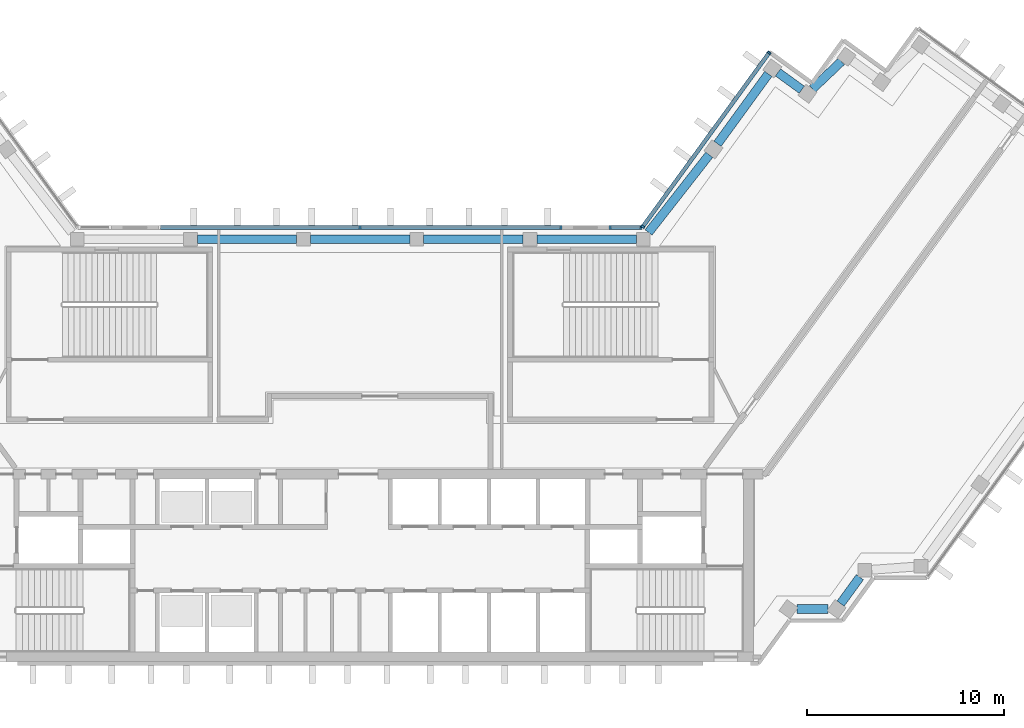
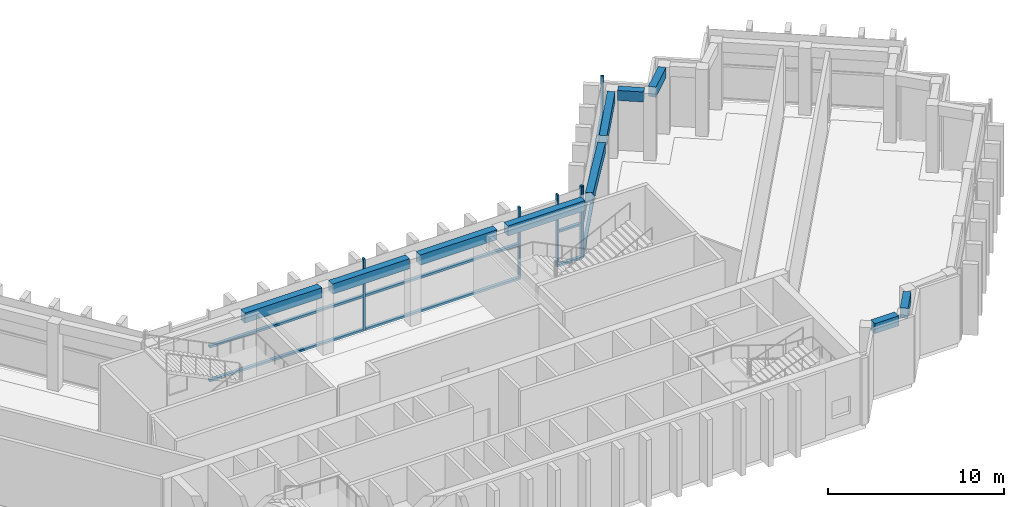
# One storey, part 3 of 14: 14 members, 10 beams, 3 elements without a shape of their own.
"""IFC4 building model written with IfcOpenShell, lengths in metres."""

from ifc_helpers import new_model, si_unit, direction, frame, origin, origin_2d, place, context, subcontext, project, spatial, rectangle, extrude, material, material_profile, profile_set, type_object, element, aggregate, save


model = new_model("IFC4")

# Units and contexts
model_context = context("Model", 3, precision=1e-05, world=origin(), true_north=direction((0.0, 1.0)))
body_context = subcontext(model_context, "Body", "Model", "MODEL_VIEW")
ifc_project = project(units=[si_unit("LENGTHUNIT", "METRE"), si_unit("AREAUNIT", "SQUARE_METRE"), si_unit("VOLUMEUNIT", "CUBIC_METRE"), si_unit("PLANEANGLEUNIT", "RADIAN"), si_unit("MASSUNIT", "GRAM", prefix="KILO")], contexts=[model_context])

# Site, building, storey
site_placement = place(None, origin())
site = spatial("IfcSite", under=ifc_project, at=site_placement, CompositionType="ELEMENT")
building_placement = place(site_placement, origin())
building = spatial("IfcBuilding", under=site, at=building_placement, Name="Quipu Civic Tower", CompositionType="ELEMENT")
storey_placement = place(building_placement, frame((0.0, 0.0, 248.0)))
storey = spatial("IfcBuildingStorey", under=building, at=storey_placement, Name="L58", CompositionType="ELEMENT", Elevation=248.0)

# Curtain wall, members
ifc_material_1 = material(Name="Insulated glass unit", Category="glass")
curtain_wall_type = type_object("IfcCurtainWallType", Name="Sky lobby and refuge curtain wall CW5", PredefinedType="NOTDEFINED", material=ifc_material_1)
curtain_wall_1_placement = place(storey_placement, origin())
curtain_wall_1 = element("IfcCurtainWall", 1, at=curtain_wall_1_placement, inside=storey, type_object=curtain_wall_type, Name="Sky lobby and refuge curtain wall CW5 L58 run 33", PredefinedType="NOTDEFINED")
ifc_material_2 = material(Name="Anodised aluminium", Category="aluminium")
ifc_material_profile_1 = material_profile(ifc_material_2, rectangle(XDim=0.199951171875, YDim=0.110107421875, at=origin_2d()), Name="RECT 200x110")
ifc_profile_set_1 = profile_set([ifc_material_profile_1], Name="Anodised aluminium")
member_type_1 = type_object("IfcMemberType", Name="Mullion CW5", PredefinedType="MULLION", material=ifc_profile_set_1)
member_1_placement = place(storey_placement, frame((20.803466796875, 19.990478515625, 0.074951171875), z_axis=(0.0, 0.0, 1.0), x_axis=(0.809015163947, -0.587787771652, 0.0)))
member_1 = element("IfcMember", 2, at=member_1_placement, type_object=member_type_1, Name="CW5 mullion 1", PredefinedType="MULLION", context=body_context, shape_type="SweptSolid", body=[
    extrude(rectangle(XDim=0.199951171875, YDim=0.110107421875, at=origin_2d()), origin(), (0.0, 0.0, 1.0), 5.0),
])
member_2_placement = place(storey_placement, frame((14.37646484375, 11.14453125, 0.074951171875), z_axis=(0.0, 0.0, 1.0), x_axis=(0.809015163947, -0.587787771652, 0.0)))
member_2 = element("IfcMember", 3, at=member_2_placement, type_object=member_type_1, Name="CW5 mullion 2", PredefinedType="MULLION", context=body_context, shape_type="SweptSolid", body=[
    extrude(rectangle(XDim=0.199951171875, YDim=0.110107421875, at=origin_2d()), origin(), (0.0, 0.0, 1.0), 5.0),
])

curtain_wall_2_placement = place(storey_placement, origin())
curtain_wall_2 = element("IfcCurtainWall", 4, at=curtain_wall_2_placement, inside=storey, type_object=curtain_wall_type, Name="Sky lobby and refuge curtain wall CW5 L58 run 34", PredefinedType="NOTDEFINED")
member_3_placement = place(storey_placement, frame((14.289306640625, 11.10009765625, 0.074951171875), z_axis=(0.0, 0.0, 1.0), x_axis=(0.0, -1.0, 0.0)))
member_3 = element("IfcMember", 5, at=member_3_placement, type_object=member_type_1, Name="CW5 mullion 1", PredefinedType="MULLION", context=body_context, shape_type="SweptSolid", body=[
    extrude(rectangle(XDim=0.199951171875, YDim=0.110107421875, at=origin_2d()), origin(), (0.0, 0.0, 1.0), 5.0),
])
member_4_placement = place(storey_placement, frame((12.7099609375, 11.10009765625, 0.074951171875), z_axis=(0.0, 0.0, 1.0), x_axis=(0.0, -1.0, 0.0)))
member_4 = element("IfcMember", 6, at=member_4_placement, type_object=member_type_1, Name="CW5 mullion 2", PredefinedType="MULLION", context=body_context, shape_type="SweptSolid", body=[
    extrude(rectangle(XDim=0.199951171875, YDim=0.110107421875, at=origin_2d()), origin(), (0.0, 0.0, 1.0), 5.0),
])

curtain_wall_3_placement = place(storey_placement, origin())
curtain_wall_3 = element("IfcCurtainWall", 7, at=curtain_wall_3_placement, inside=storey, type_object=curtain_wall_type, Name="Sky lobby and refuge curtain wall CW5 L58 run 36", PredefinedType="NOTDEFINED")
member_5_placement = place(storey_placement, frame((10.20849609375, 11.10009765625, 0.074951171875), z_axis=(0.0, 0.0, 1.0), x_axis=(0.0, -1.0, 0.0)))
member_5 = element("IfcMember", 8, at=member_5_placement, type_object=member_type_1, Name="CW5 mullion 1", PredefinedType="MULLION", context=body_context, shape_type="SweptSolid", body=[
    extrude(rectangle(XDim=0.199951171875, YDim=0.110107421875, at=origin_2d()), origin(), (0.0, 0.0, 1.0), 5.0),
])
member_6_placement = place(storey_placement, frame((0.0, 11.10009765625, 0.074951171875), z_axis=(0.0, 0.0, 1.0), x_axis=(0.0, -1.0, 0.0)))
member_6 = element("IfcMember", 9, at=member_6_placement, type_object=member_type_1, Name="CW5 mullion 2", PredefinedType="MULLION", context=body_context, shape_type="SweptSolid", body=[
    extrude(rectangle(XDim=0.199951171875, YDim=0.110107421875, at=origin_2d()), origin(), (0.0, 0.0, 1.0), 5.0),
])

# Beams
ifc_material_3 = material(Name="Concrete C50/60", Category="concrete")
ifc_material_profile_2 = material_profile(ifc_material_3, rectangle(XDim=0.449951171875, YDim=0.699951171875, at=origin_2d()), Name="RC450x700")
ifc_profile_set_2 = profile_set([ifc_material_profile_2], Name="Concrete C50/60")
beam_type = type_object("IfcBeamType", Name="Spandrel beam RC 450x700 C50/60", PredefinedType="SPANDREL", material=ifc_profile_set_2)
beam_1_placement = place(storey_placement, frame((22.224365234375, -8.31494140625, 4.300048828125), z_axis=(1.0, 0.0, 0.0), x_axis=(0.0, 1.0, 0.0)))
element("IfcBeam", 10, at=beam_1_placement, inside=storey, type_object=beam_type, Name="Spandrel beam L58 J-Eo.1 to J-Eo.2", PredefinedType="SPANDREL", context=body_context, shape_type="SweptSolid", body=[
    extrude(rectangle(XDim=0.449951171875, YDim=0.699951171875, at=origin_2d()), origin(), (0.0, 0.0, 1.0), 1.578125),
])
beam_2_placement = place(storey_placement, frame((24.44091796875, -8.031982421875, 4.300048828125), z_axis=(0.588407300614, 0.80856468423, 0.0), x_axis=(-0.80856468423, 0.588407300614, 0.0)))
element("IfcBeam", 11, at=beam_2_placement, inside=storey, type_object=beam_type, Name="Spandrel beam L58 J-Eo.2 to J-Eo.3", PredefinedType="SPANDREL", context=body_context, shape_type="SweptSolid", body=[
    extrude(rectangle(XDim=0.449951171875, YDim=0.699951171875, at=origin_2d()), origin(), (0.0, 0.0, 1.0), 1.663330078125),
])
beam_3_placement = place(storey_placement, frame((24.48193359375, 19.5498046875, 4.300048828125), z_axis=(-0.72511931772, -0.6886232461, 0.0), x_axis=(0.6886232461, -0.72511931772, 0.0)))
element("IfcBeam", 12, at=beam_3_placement, inside=storey, type_object=beam_type, Name="Spandrel beam L58 T-Ei.2-E22 to T-Ei.3-E22", PredefinedType="SPANDREL", context=body_context, shape_type="SweptSolid", body=[
    extrude(rectangle(XDim=0.449951171875, YDim=0.699951171875, at=origin_2d()), origin(), (0.0, 0.0, 1.0), 2.03369140625),
])
beam_4_placement = place(storey_placement, frame((22.466064453125, 18.10986328125, 4.300048828125), z_axis=(-0.809461336076, 0.587173181776, 0.0), x_axis=(-0.587173181776, -0.809461336076, 0.0)))
element("IfcBeam", 13, at=beam_4_placement, inside=storey, type_object=beam_type, Name="Spandrel beam L58 T-Ei.3-E22 to T-Ei.4-E22", PredefinedType="SPANDREL", context=body_context, shape_type="SweptSolid", body=[
    extrude(rectangle(XDim=0.449951171875, YDim=0.699951171875, at=origin_2d()), origin(), (0.0, 0.0, 1.0), 1.498046875),
])
beam_5_placement = place(storey_placement, frame((20.76416015625, 18.911865234375, 4.300048828125), z_axis=(-0.588201428764, -0.808714460857, 0.0), x_axis=(0.808714460857, -0.588201428764, 0.0)))
element("IfcBeam", 14, at=beam_5_placement, inside=storey, type_object=beam_type, Name="Spandrel beam L58 T-Ei.4-E22 to E-IN-01", PredefinedType="SPANDREL", context=body_context, shape_type="SweptSolid", body=[
    extrude(rectangle(XDim=0.449951171875, YDim=0.699951171875, at=origin_2d()), origin(), (0.0, 0.0, 1.0), 4.394287109375),
])
beam_6_placement = place(storey_placement, frame((17.7578125, 14.799072265625, 4.300048828125), z_axis=(-0.616106034519, -0.787663223865, 0.0), x_axis=(0.787663223865, -0.616106034519, 0.0)))
element("IfcBeam", 15, at=beam_6_placement, inside=storey, type_object=beam_type, Name="Spandrel beam L58 E-IN-01 to J-Ei.0", PredefinedType="SPANDREL", context=body_context, shape_type="SweptSolid", body=[
    extrude(rectangle(XDim=0.449951171875, YDim=0.699951171875, at=origin_2d()), origin(), (0.0, 0.0, 1.0), 5.013427734375),
])
for number, where, z_axis, x_axis, name in (
    (16, (14.045166015625, 10.5, 4.300048828125), (-1.0, 0.0, 0.0), (0.0, -1.0, 0.0), "Spandrel beam L58 J-Ei.0 to FRONT-01"),
    (17, (8.287109375, 10.5, 4.300048828125), (-1.0, 0.0, 0.0), (0.0, -1.0, 0.0), "Spandrel beam L58 FRONT-01 to FRONT-02"),
    (18, (2.529052734375, 10.5, 4.300048828125), (-1.0, 0.0, 0.0), (0.0, -1.0, 0.0), "Spandrel beam L58 FRONT-02 to FRONT-03"),
    (19, (-3.22900390625, 10.5, 4.300048828125), (-1.0, 0.0, 0.0), (0.0, -1.0, 0.0), "Spandrel beam L58 FRONT-03 to FRONT-04"),
):
    element("IfcBeam", number, at=place(storey_placement, frame(where, z_axis=z_axis, x_axis=x_axis)), inside=storey, type_object=beam_type, Name=name, PredefinedType="SPANDREL", context=body_context, shape_type="SweptSolid", body=[
        extrude(rectangle(XDim=0.449951171875, YDim=0.699951171875, at=origin_2d()), origin(), (0.0, 0.0, 1.0), 5.05810546875),
    ])

# Member
ifc_material_4 = material(Name="Anodised aluminium", Category="aluminium")
ifc_material_profile_3 = material_profile(ifc_material_4, rectangle(XDim=0.199951171875, YDim=0.14990234375, at=origin_2d()), Name="RECT 200x150")
ifc_profile_set_3 = profile_set([ifc_material_profile_3], Name="Anodised aluminium")
member_type_2 = type_object("IfcMemberType", Name="Transom CW5", PredefinedType="USERDEFINED", material=ifc_profile_set_3)
member_7_placement = place(storey_placement, frame((20.771240234375, 19.946044921875, 0.14990234375), z_axis=(-0.587780027336, -0.809020790503, 0.0), x_axis=(0.809020790503, -0.587780027336, 0.0)))
member_7 = element("IfcMember", 20, at=member_7_placement, type_object=member_type_2, Name="CW5 transom 1.1", ObjectType="TRANSOM", PredefinedType="USERDEFINED", context=body_context, shape_type="SweptSolid", body=[
    extrude(rectangle(XDim=0.199951171875, YDim=0.14990234375, at=origin_2d()), origin(), (0.0, 0.0, 1.0), 10.82421875),
])

member_8_placement = place(storey_placement, frame((20.771240234375, 19.946044921875, 2.5), z_axis=(-0.587780027336, -0.809020790503, 0.0), x_axis=(0.809020790503, -0.587780027336, 0.0)))
member_8 = element("IfcMember", 21, at=member_8_placement, type_object=member_type_2, Name="CW5 transom 1.2", ObjectType="TRANSOM", PredefinedType="USERDEFINED", context=body_context, shape_type="SweptSolid", body=[
    extrude(rectangle(XDim=0.199951171875, YDim=0.14990234375, at=origin_2d()), origin(), (0.0, 0.0, 1.0), 10.82421875),
])

aggregate(curtain_wall_1, [member_1, member_2, member_7, member_8])

member_9_placement = place(storey_placement, frame((14.234130859375, 11.10009765625, 0.14990234375), z_axis=(-1.0, 0.0, 0.0), x_axis=(0.0, -1.0, 0.0)))
member_9 = element("IfcMember", 22, at=member_9_placement, type_object=member_type_2, Name="CW5 transom 1.1", ObjectType="TRANSOM", PredefinedType="USERDEFINED", context=body_context, shape_type="SweptSolid", body=[
    extrude(rectangle(XDim=0.199951171875, YDim=0.14990234375, at=origin_2d()), origin(), (0.0, 0.0, 1.0), 1.46923828125),
])

member_10_placement = place(storey_placement, frame((14.234130859375, 11.10009765625, 2.5), z_axis=(-1.0, 0.0, 0.0), x_axis=(0.0, -1.0, 0.0)))
member_10 = element("IfcMember", 23, at=member_10_placement, type_object=member_type_2, Name="CW5 transom 1.2", ObjectType="TRANSOM", PredefinedType="USERDEFINED", context=body_context, shape_type="SweptSolid", body=[
    extrude(rectangle(XDim=0.199951171875, YDim=0.14990234375, at=origin_2d()), origin(), (0.0, 0.0, 1.0), 1.46923828125),
])

aggregate(curtain_wall_2, [member_3, member_4, member_9, member_10])

member_11_placement = place(storey_placement, frame((10.153564453125, 11.10009765625, 0.14990234375), z_axis=(-1.0, 0.0, 0.0), x_axis=(0.0, -1.0, 0.0)))
member_11 = element("IfcMember", 24, at=member_11_placement, type_object=member_type_2, Name="CW5 transom 1.1", ObjectType="TRANSOM", PredefinedType="USERDEFINED", context=body_context, shape_type="SweptSolid", body=[
    extrude(rectangle(XDim=0.199951171875, YDim=0.14990234375, at=origin_2d()), origin(), (0.0, 0.0, 1.0), 10.0986328125),
])

member_12_placement = place(storey_placement, frame((10.153564453125, 11.10009765625, 2.5), z_axis=(-1.0, 0.0, 0.0), x_axis=(0.0, -1.0, 0.0)))
member_12 = element("IfcMember", 25, at=member_12_placement, type_object=member_type_2, Name="CW5 transom 1.2", ObjectType="TRANSOM", PredefinedType="USERDEFINED", context=body_context, shape_type="SweptSolid", body=[
    extrude(rectangle(XDim=0.199951171875, YDim=0.14990234375, at=origin_2d()), origin(), (0.0, 0.0, 1.0), 10.0986328125),
])

member_13_placement = place(storey_placement, frame((-0.054931640625, 11.10009765625, 0.14990234375), z_axis=(-1.0, 0.0, 0.0), x_axis=(0.0, -1.0, 0.0)))
member_13 = element("IfcMember", 26, at=member_13_placement, type_object=member_type_2, Name="CW5 transom 2.1", ObjectType="TRANSOM", PredefinedType="USERDEFINED", context=body_context, shape_type="SweptSolid", body=[
    extrude(rectangle(XDim=0.199951171875, YDim=0.14990234375, at=origin_2d()), origin(), (0.0, 0.0, 1.0), 10.0986328125),
])

member_14_placement = place(storey_placement, frame((-0.054931640625, 11.10009765625, 2.5), z_axis=(-1.0, 0.0, 0.0), x_axis=(0.0, -1.0, 0.0)))
member_14 = element("IfcMember", 27, at=member_14_placement, type_object=member_type_2, Name="CW5 transom 2.2", ObjectType="TRANSOM", PredefinedType="USERDEFINED", context=body_context, shape_type="SweptSolid", body=[
    extrude(rectangle(XDim=0.199951171875, YDim=0.14990234375, at=origin_2d()), origin(), (0.0, 0.0, 1.0), 10.0986328125),
])

aggregate(curtain_wall_3, [member_5, member_6, member_11, member_12, member_13, member_14])

save(model, "model.ifc")
